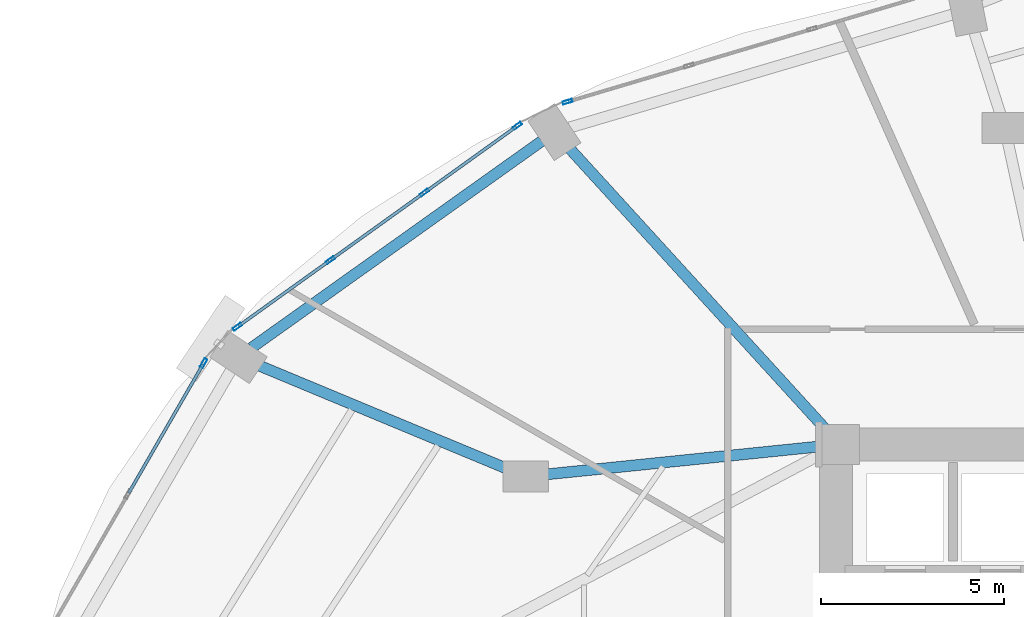
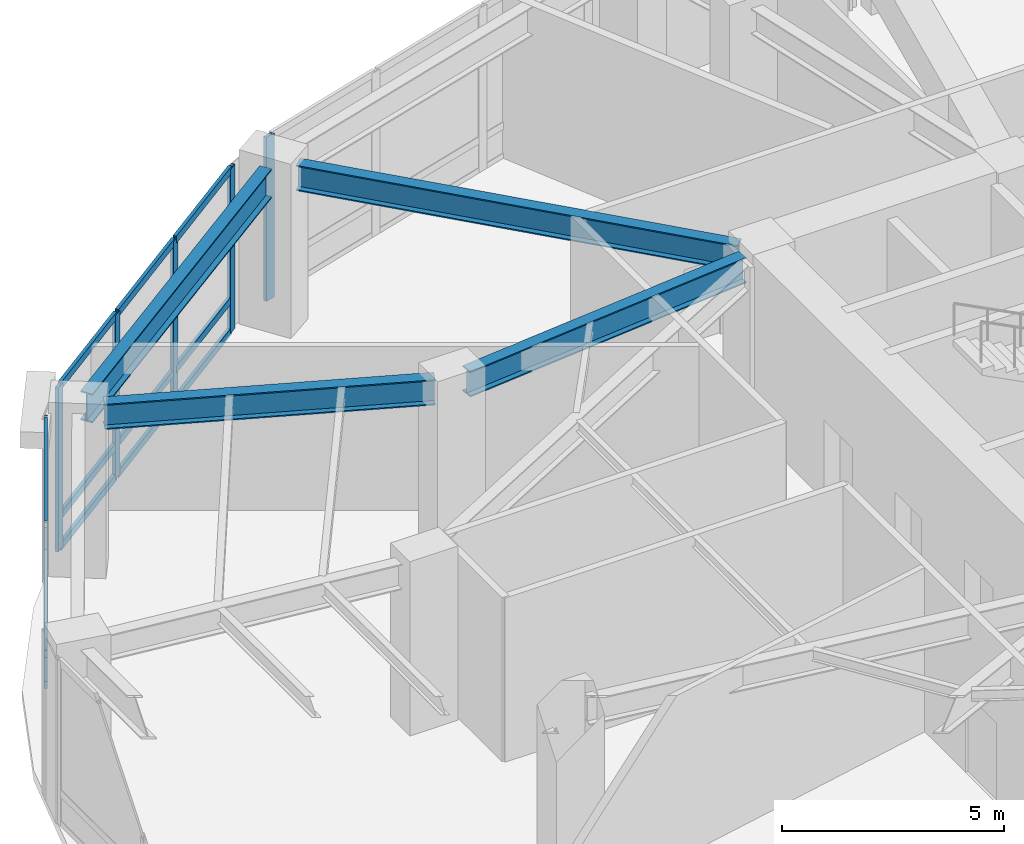
# One storey, part 13 of 24: 18 members, 4 beams, 3 elements without a shape of their own.
"""IFC4 building model written with IfcOpenShell, lengths in metres."""

from ifc_helpers import new_model, si_unit, direction, frame, origin, origin_2d, place, context, subcontext, project, spatial, hollow_rectangle, i_section, extrude, material, layer, layer_set, material_profile, profile_set, type_object, element, aggregate, save


model = new_model("IFC4")

# Units and contexts
model_context = context("Model", 3, precision=1e-05, world=origin(), true_north=direction((0.0, 1.0)))
body_context = subcontext(model_context, "Body", "Model", "MODEL_VIEW")
ifc_project = project(units=[si_unit("LENGTHUNIT", "METRE"), si_unit("AREAUNIT", "SQUARE_METRE"), si_unit("VOLUMEUNIT", "CUBIC_METRE"), si_unit("PLANEANGLEUNIT", "RADIAN"), si_unit("MASSUNIT", "GRAM", prefix="KILO")], contexts=[model_context])

# Site, building, storey
site_placement = place(None, origin())
site = spatial("IfcSite", under=ifc_project, at=site_placement, CompositionType="ELEMENT")
building_placement = place(site_placement, origin())
building = spatial("IfcBuilding", under=site, at=building_placement, Name="Lazwardi Medical Tower", CompositionType="ELEMENT")
storey_placement = place(building_placement, frame((0.0, 0.0, 10.800048828125)))
storey = spatial("IfcBuildingStorey", under=building, at=storey_placement, Name="L02", CompositionType="ELEMENT", Elevation=10.800048828125)

# Beams
ifc_material_1 = material(Name="Steel S355", Category="steel")
ifc_material_profile_1 = material_profile(ifc_material_1, i_section(OverallWidth=0.300048828125, OverallDepth=0.800048828125, WebThickness=0.017578125, FlangeThickness=0.032958984375, at=origin_2d()), Name="HEB 800")
ifc_profile_set_1 = profile_set([ifc_material_profile_1], Name="Steel S355")
beam_type_1 = type_object("IfcBeamType", Name="BM-RB-P1", PredefinedType="BEAM", material=ifc_profile_set_1)
beam_1_placement = place(storey_placement, frame((18.260498046875, 43.892333984375, 4.119873046875), z_axis=(-0.814437186887, -0.580251728663, 0.0), x_axis=(0.580251728663, -0.814437186887, 0.0)))
element("IfcBeam", 1, at=beam_1_placement, inside=storey, type_object=beam_type_1, Name="Ring beam RB-01 B10 L02", PredefinedType="BEAM", context=body_context, shape_type="SweptSolid", body=[
    extrude(i_section(OverallWidth=0.300048828125, OverallDepth=0.800048828125, WebThickness=0.017578125, FlangeThickness=0.032958984375, at=origin_2d()), origin(), (0.0, 0.0, 1.0), 9.743408203125),
])
ifc_material_profile_2 = material_profile(ifc_material_1, i_section(OverallWidth=0.300048828125, OverallDepth=0.699951171875, WebThickness=0.01708984375, FlangeThickness=0.031982421875, at=origin_2d()), Name="HEB 700")
ifc_profile_set_2 = profile_set([ifc_material_profile_2], Name="Steel S355")
beam_type_2 = type_object("IfcBeamType", Name="BM-RG-P1", PredefinedType="BEAM", material=ifc_profile_set_2)
beam_2_placement = place(storey_placement, frame((19.00146484375, 43.713134765625, 4.169921875), z_axis=(0.67382142595, -0.738894231897, 0.0), x_axis=(0.738894231897, 0.67382142595, 0.0)))
element("IfcBeam", 2, at=beam_2_placement, inside=storey, type_object=beam_type_2, Name="Radial girder RG-01 R10 L02", PredefinedType="BEAM", context=body_context, shape_type="SweptSolid", body=[
    extrude(i_section(OverallWidth=0.300048828125, OverallDepth=0.699951171875, WebThickness=0.01708984375, FlangeThickness=0.031982421875, at=origin_2d()), origin(), (0.0, 0.0, 1.0), 10.445068359375),
])
beam_3_placement = place(storey_placement, frame((10.510498046875, 37.766357421875, 4.169921875), z_axis=(0.923279462658, -0.38412892866, 0.0), x_axis=(0.38412892866, 0.923279462658, 0.0)))
element("IfcBeam", 3, at=beam_3_placement, inside=storey, type_object=beam_type_2, Name="Radial girder RG-01 R11A L02", PredefinedType="BEAM", context=body_context, shape_type="SweptSolid", body=[
    extrude(i_section(OverallWidth=0.300048828125, OverallDepth=0.699951171875, WebThickness=0.01708984375, FlangeThickness=0.031982421875, at=origin_2d()), origin(), (0.0, 0.0, 1.0), 7.52001953125),
])
beam_4_placement = place(storey_placement, frame((18.220947265625, 34.7646484375, 4.169921875), z_axis=(0.994824908551, 0.101604140299, 0.0), x_axis=(-0.101604140299, 0.994824908551, 0.0)))
element("IfcBeam", 4, at=beam_4_placement, inside=storey, type_object=beam_type_2, Name="Radial girder RG-01 R11B L02", PredefinedType="BEAM", context=body_context, shape_type="SweptSolid", body=[
    extrude(i_section(OverallWidth=0.300048828125, OverallDepth=0.699951171875, WebThickness=0.01708984375, FlangeThickness=0.031982421875, at=origin_2d()), origin(), (0.0, 0.0, 1.0), 7.686767578125),
])

# Curtain wall, member
ifc_material_2 = material(Name="Anodised bronze aluminium and solar control glazing", Category="aluminium")
ifc_layer = layer(ifc_material_2, 0.219970703125)
ifc_layer_set = layer_set([ifc_layer], Name="Anodised bronze aluminium and solar control glazing")
curtain_wall_type = type_object("IfcCurtainWallType", Name="CW-SYS-01", PredefinedType="NOTDEFINED", material=ifc_layer_set)
curtain_wall_1_placement = place(storey_placement, origin())
curtain_wall_1 = element("IfcCurtainWall", 5, at=curtain_wall_1_placement, inside=storey, type_object=curtain_wall_type, Name="L02 Unitised bronze curtain wall CW-01", PredefinedType="NOTDEFINED")
ifc_material_3 = material(Name="Anodised bronze aluminium", Category="aluminium")
ifc_material_profile_3 = material_profile(ifc_material_3, hollow_rectangle(XDim=0.0849609375, YDim=0.260009765625, WallThickness=0.0048828125, at=origin_2d()), Name="ALU-MULLION 260x85x5")
ifc_profile_set_3 = profile_set([ifc_material_profile_3], Name="Anodised bronze aluminium")
member_type_1 = type_object("IfcMemberType", Name="CW-MUL-02", PredefinedType="MULLION", material=ifc_profile_set_3)
member_1_placement = place(storey_placement, frame((18.966064453125, 44.96630859375, 0.0), z_axis=(0.0, 0.0, 1.0), x_axis=(0.285047195531, -0.958513482597, 0.0)))
member_1 = element("IfcMember", 6, at=member_1_placement, type_object=member_type_1, Name="CW-01 mullion 4", PredefinedType="MULLION", context=body_context, shape_type="SweptSolid", body=[
    extrude(hollow_rectangle(XDim=0.0849609375, YDim=0.260009765625, WallThickness=0.0048828125, at=origin_2d()), origin(), (0.0, 0.0, 1.0), 4.52001953125),
])
aggregate(curtain_wall_1, [member_1])

# Curtain wall, members
curtain_wall_2_placement = place(storey_placement, origin())
curtain_wall_2 = element("IfcCurtainWall", 7, at=curtain_wall_2_placement, inside=storey, type_object=curtain_wall_type, Name="L02 Unitised bronze curtain wall CW-01", PredefinedType="NOTDEFINED")
member_2_placement = place(storey_placement, frame((17.59423828125, 44.3076171875, 0.0), z_axis=(0.0, 0.0, 1.0), x_axis=(0.583214260584, -0.812318365083, 0.0)))
member_2 = element("IfcMember", 8, at=member_2_placement, type_object=member_type_1, Name="CW-01 mullion 1", PredefinedType="MULLION", context=body_context, shape_type="SweptSolid", body=[
    extrude(hollow_rectangle(XDim=0.0849609375, YDim=0.260009765625, WallThickness=0.0048828125, at=origin_2d()), origin(), (0.0, 0.0, 1.0), 4.52001953125),
])
member_3_placement = place(storey_placement, frame((15.055419921875, 42.48486328125, 0.0), z_axis=(0.0, 0.0, 1.0), x_axis=(0.583214260584, -0.812318365083, 0.0)))
member_3 = element("IfcMember", 9, at=member_3_placement, type_object=member_type_1, Name="CW-01 mullion 2", PredefinedType="MULLION", context=body_context, shape_type="SweptSolid", body=[
    extrude(hollow_rectangle(XDim=0.0849609375, YDim=0.260009765625, WallThickness=0.0048828125, at=origin_2d()), origin(), (0.0, 0.0, 1.0), 4.52001953125),
])
member_4_placement = place(storey_placement, frame((12.482177734375, 40.63720703125, 0.0), z_axis=(0.0, 0.0, 1.0), x_axis=(0.583214260584, -0.812318365083, 0.0)))
member_4 = element("IfcMember", 10, at=member_4_placement, type_object=member_type_1, Name="CW-01 mullion 3", PredefinedType="MULLION", context=body_context, shape_type="SweptSolid", body=[
    extrude(hollow_rectangle(XDim=0.0849609375, YDim=0.260009765625, WallThickness=0.0048828125, at=origin_2d()), origin(), (0.0, 0.0, 1.0), 4.52001953125),
])
member_5_placement = place(storey_placement, frame((9.943359375, 38.814453125, 0.0), z_axis=(0.0, 0.0, 1.0), x_axis=(0.583214260584, -0.812318365083, 0.0)))
member_5 = element("IfcMember", 11, at=member_5_placement, type_object=member_type_1, Name="CW-01 mullion 4", PredefinedType="MULLION", context=body_context, shape_type="SweptSolid", body=[
    extrude(hollow_rectangle(XDim=0.0849609375, YDim=0.260009765625, WallThickness=0.0048828125, at=origin_2d()), origin(), (0.0, 0.0, 1.0), 4.52001953125),
])

# Curtain wall, member
curtain_wall_3_placement = place(storey_placement, origin())
curtain_wall_3 = element("IfcCurtainWall", 12, at=curtain_wall_3_placement, inside=storey, type_object=curtain_wall_type, Name="L02 Unitised bronze curtain wall CW-01", PredefinedType="NOTDEFINED")
member_6_placement = place(storey_placement, frame((9.021240234375, 37.822021484375, 0.0), z_axis=(0.0, 0.0, 1.0), x_axis=(0.866180607783, -0.499731082384, 0.0)))
member_6 = element("IfcMember", 13, at=member_6_placement, type_object=member_type_1, Name="CW-01 mullion 1", PredefinedType="MULLION", context=body_context, shape_type="SweptSolid", body=[
    extrude(hollow_rectangle(XDim=0.0849609375, YDim=0.260009765625, WallThickness=0.0048828125, at=origin_2d()), origin(), (0.0, 0.0, 1.0), 4.52001953125),
])

# Member
ifc_material_profile_4 = material_profile(ifc_material_3, hollow_rectangle(XDim=0.0849609375, YDim=0.199951171875, WallThickness=0.00439453125, at=origin_2d()), Name="ALU-TRANSOM 200x85x4.5")
ifc_profile_set_4 = profile_set([ifc_material_profile_4], Name="Anodised bronze aluminium")
member_type_2 = type_object("IfcMemberType", Name="CW-TRN-02", PredefinedType="USERDEFINED", material=ifc_profile_set_4)
member_7_placement = place(storey_placement, frame((17.559814453125, 44.28271484375, 0.04248046875), z_axis=(-0.812314954496, -0.583219010924, 0.0), x_axis=(0.583219010924, -0.812314954496, 0.0)))
member_7 = element("IfcMember", 14, at=member_7_placement, type_object=member_type_2, Name="CW-01 transom 1.1", ObjectType="TRANSOM", PredefinedType="USERDEFINED", context=body_context, shape_type="SweptSolid", body=[
    extrude(hollow_rectangle(XDim=0.0849609375, YDim=0.199951171875, WallThickness=0.00439453125, at=origin_2d()), origin(), (0.0, 0.0, 1.0), 3.040283203125),
])

member_8_placement = place(storey_placement, frame((17.559814453125, 44.28271484375, 0.89990234375), z_axis=(-0.812314954496, -0.583219010924, 0.0), x_axis=(0.583219010924, -0.812314954496, 0.0)))
member_8 = element("IfcMember", 15, at=member_8_placement, type_object=member_type_2, Name="CW-01 transom 1.2", ObjectType="TRANSOM", PredefinedType="USERDEFINED", context=body_context, shape_type="SweptSolid", body=[
    extrude(hollow_rectangle(XDim=0.0849609375, YDim=0.199951171875, WallThickness=0.00439453125, at=origin_2d()), origin(), (0.0, 0.0, 1.0), 3.040283203125),
])

member_9_placement = place(storey_placement, frame((17.559814453125, 44.28271484375, 4.4775390625), z_axis=(-0.812314954496, -0.583219010924, 0.0), x_axis=(0.583219010924, -0.812314954496, 0.0)))
member_9 = element("IfcMember", 16, at=member_9_placement, type_object=member_type_2, Name="CW-01 transom 1.3", ObjectType="TRANSOM", PredefinedType="USERDEFINED", context=body_context, shape_type="SweptSolid", body=[
    extrude(hollow_rectangle(XDim=0.0849609375, YDim=0.199951171875, WallThickness=0.00439453125, at=origin_2d()), origin(), (0.0, 0.0, 1.0), 3.040283203125),
])

member_10_placement = place(storey_placement, frame((15.02099609375, 42.4599609375, 0.04248046875), z_axis=(-0.812350668283, -0.583169265085, 0.0), x_axis=(0.583169265085, -0.812350668283, 0.0)))
member_10 = element("IfcMember", 17, at=member_10_placement, type_object=member_type_2, Name="CW-01 transom 2.1", ObjectType="TRANSOM", PredefinedType="USERDEFINED", context=body_context, shape_type="SweptSolid", body=[
    extrude(hollow_rectangle(XDim=0.0849609375, YDim=0.199951171875, WallThickness=0.00439453125, at=origin_2d()), origin(), (0.0, 0.0, 1.0), 3.0830078125),
])

member_11_placement = place(storey_placement, frame((15.02099609375, 42.4599609375, 0.89990234375), z_axis=(-0.812350668283, -0.583169265085, 0.0), x_axis=(0.583169265085, -0.812350668283, 0.0)))
member_11 = element("IfcMember", 18, at=member_11_placement, type_object=member_type_2, Name="CW-01 transom 2.2", ObjectType="TRANSOM", PredefinedType="USERDEFINED", context=body_context, shape_type="SweptSolid", body=[
    extrude(hollow_rectangle(XDim=0.0849609375, YDim=0.199951171875, WallThickness=0.00439453125, at=origin_2d()), origin(), (0.0, 0.0, 1.0), 3.0830078125),
])

member_12_placement = place(storey_placement, frame((15.02099609375, 42.4599609375, 4.4775390625), z_axis=(-0.812350668283, -0.583169265085, 0.0), x_axis=(0.583169265085, -0.812350668283, 0.0)))
member_12 = element("IfcMember", 19, at=member_12_placement, type_object=member_type_2, Name="CW-01 transom 2.3", ObjectType="TRANSOM", PredefinedType="USERDEFINED", context=body_context, shape_type="SweptSolid", body=[
    extrude(hollow_rectangle(XDim=0.0849609375, YDim=0.199951171875, WallThickness=0.00439453125, at=origin_2d()), origin(), (0.0, 0.0, 1.0), 3.0830078125),
])

member_13_placement = place(storey_placement, frame((12.44775390625, 40.612548828125, 0.04248046875), z_axis=(-0.812314954496, -0.583219010924, 0.0), x_axis=(0.583219010924, -0.812314954496, 0.0)))
member_13 = element("IfcMember", 20, at=member_13_placement, type_object=member_type_2, Name="CW-01 transom 3.1", ObjectType="TRANSOM", PredefinedType="USERDEFINED", context=body_context, shape_type="SweptSolid", body=[
    extrude(hollow_rectangle(XDim=0.0849609375, YDim=0.199951171875, WallThickness=0.00439453125, at=origin_2d()), origin(), (0.0, 0.0, 1.0), 3.040283203125),
])

member_14_placement = place(storey_placement, frame((12.44775390625, 40.612548828125, 0.89990234375), z_axis=(-0.812314954496, -0.583219010924, 0.0), x_axis=(0.583219010924, -0.812314954496, 0.0)))
member_14 = element("IfcMember", 21, at=member_14_placement, type_object=member_type_2, Name="CW-01 transom 3.2", ObjectType="TRANSOM", PredefinedType="USERDEFINED", context=body_context, shape_type="SweptSolid", body=[
    extrude(hollow_rectangle(XDim=0.0849609375, YDim=0.199951171875, WallThickness=0.00439453125, at=origin_2d()), origin(), (0.0, 0.0, 1.0), 3.040283203125),
])

member_15_placement = place(storey_placement, frame((12.44775390625, 40.612548828125, 4.4775390625), z_axis=(-0.812314954496, -0.583219010924, 0.0), x_axis=(0.583219010924, -0.812314954496, 0.0)))
member_15 = element("IfcMember", 22, at=member_15_placement, type_object=member_type_2, Name="CW-01 transom 3.3", ObjectType="TRANSOM", PredefinedType="USERDEFINED", context=body_context, shape_type="SweptSolid", body=[
    extrude(hollow_rectangle(XDim=0.0849609375, YDim=0.199951171875, WallThickness=0.00439453125, at=origin_2d()), origin(), (0.0, 0.0, 1.0), 3.040283203125),
])

aggregate(curtain_wall_2, [member_2, member_3, member_4, member_5, member_7, member_8, member_9, member_10, member_11, member_12, member_13, member_14, member_15])

member_16_placement = place(storey_placement, frame((9.000244140625, 37.78515625, 0.04248046875), z_axis=(-0.499767651026, -0.866159508975, 0.0), x_axis=(0.866159508975, -0.499767651026, 0.0)))
member_16 = element("IfcMember", 23, at=member_16_placement, type_object=member_type_2, Name="CW-01 transom 1.1", ObjectType="TRANSOM", PredefinedType="USERDEFINED", context=body_context, shape_type="SweptSolid", body=[
    extrude(hollow_rectangle(XDim=0.0849609375, YDim=0.199951171875, WallThickness=0.00439453125, at=origin_2d()), origin(), (0.0, 0.0, 1.0), 4.052734375),
])

member_17_placement = place(storey_placement, frame((9.000244140625, 37.78515625, 0.89990234375), z_axis=(-0.499767651026, -0.866159508975, 0.0), x_axis=(0.866159508975, -0.499767651026, 0.0)))
member_17 = element("IfcMember", 24, at=member_17_placement, type_object=member_type_2, Name="CW-01 transom 1.2", ObjectType="TRANSOM", PredefinedType="USERDEFINED", context=body_context, shape_type="SweptSolid", body=[
    extrude(hollow_rectangle(XDim=0.0849609375, YDim=0.199951171875, WallThickness=0.00439453125, at=origin_2d()), origin(), (0.0, 0.0, 1.0), 4.052734375),
])

member_18_placement = place(storey_placement, frame((9.000244140625, 37.78515625, 4.4775390625), z_axis=(-0.499767651026, -0.866159508975, 0.0), x_axis=(0.866159508975, -0.499767651026, 0.0)))
member_18 = element("IfcMember", 25, at=member_18_placement, type_object=member_type_2, Name="CW-01 transom 1.3", ObjectType="TRANSOM", PredefinedType="USERDEFINED", context=body_context, shape_type="SweptSolid", body=[
    extrude(hollow_rectangle(XDim=0.0849609375, YDim=0.199951171875, WallThickness=0.00439453125, at=origin_2d()), origin(), (0.0, 0.0, 1.0), 4.052734375),
])

aggregate(curtain_wall_3, [member_6, member_16, member_17, member_18])

save(model, "model.ifc")
